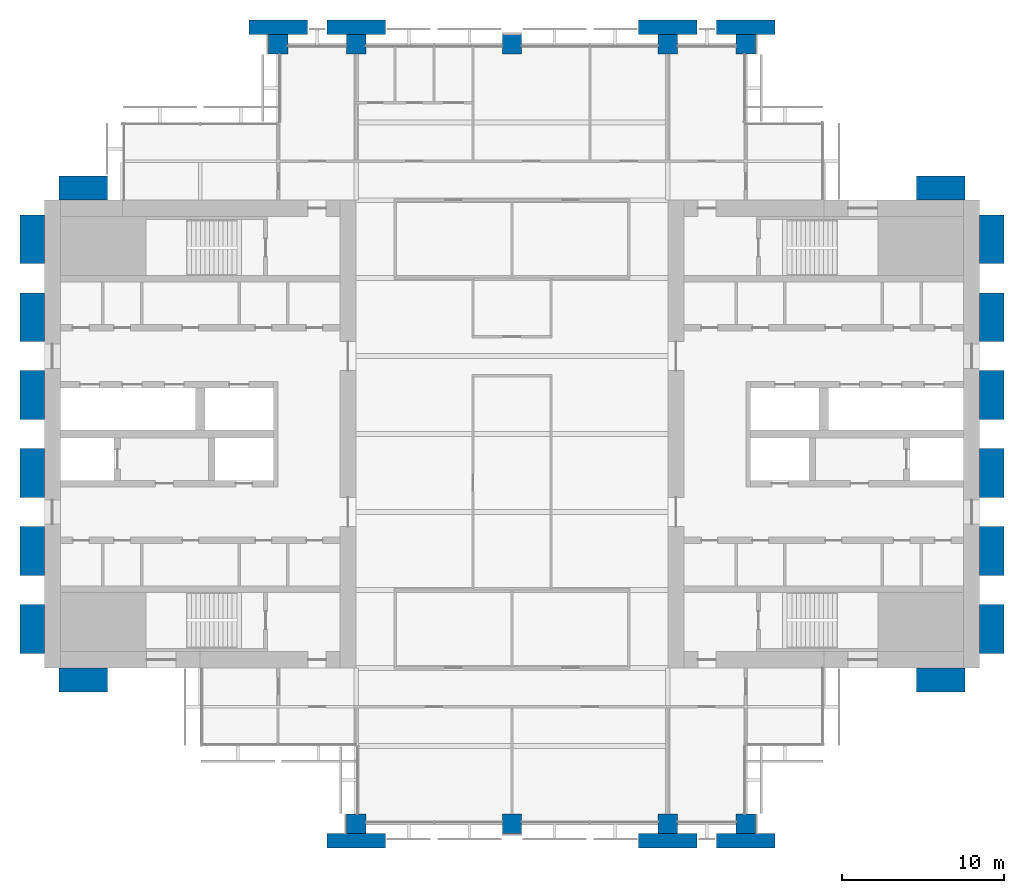
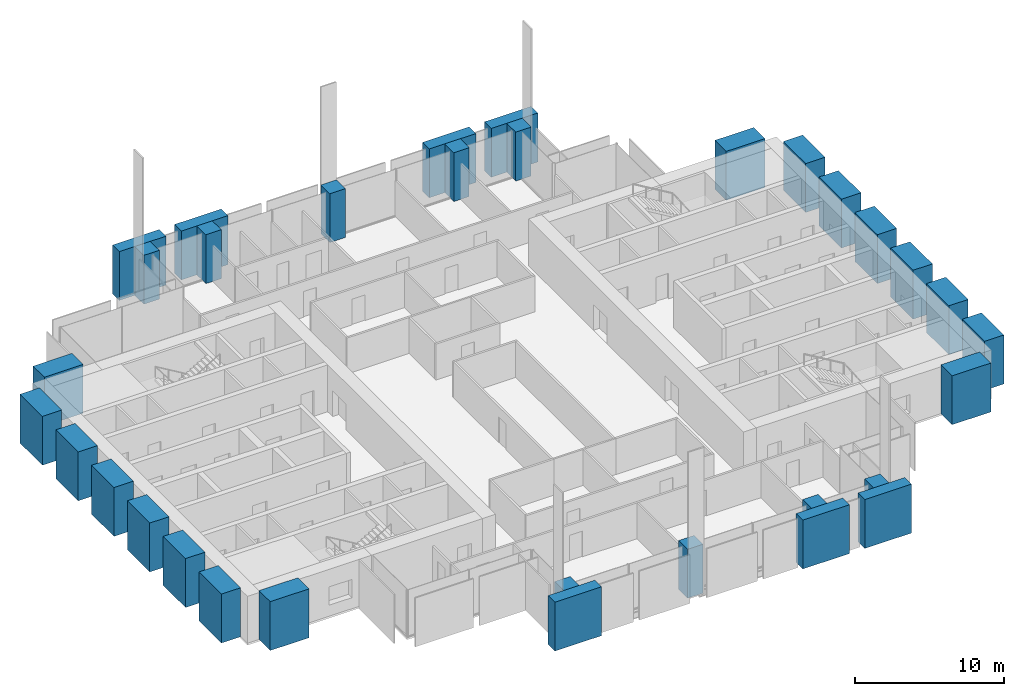
# One storey, part 1 of 14: 32 columns.
"""IFC4 building model written with IfcOpenShell, lengths in metres."""

from ifc_helpers import new_model, si_unit, direction, frame, origin, origin_2d, place, context, subcontext, project, spatial, rectangle, extrude, material, material_profile, profile_set, type_object, element, save


model = new_model("IFC4")

# Units and contexts
model_context = context("Model", 3, precision=1e-05, world=origin(), true_north=direction((0.0, 1.0)))
body_context = subcontext(model_context, "Body", "Model", "MODEL_VIEW")
ifc_project = project(units=[si_unit("LENGTHUNIT", "METRE"), si_unit("AREAUNIT", "SQUARE_METRE"), si_unit("VOLUMEUNIT", "CUBIC_METRE"), si_unit("PLANEANGLEUNIT", "RADIAN"), si_unit("MASSUNIT", "GRAM", prefix="KILO")], contexts=[model_context])

# Site, building, storey
site_placement = place(None, origin())
site = spatial("IfcSite", under=ifc_project, at=site_placement, CompositionType="ELEMENT")
building_placement = place(site_placement, origin())
building = spatial("IfcBuilding", under=site, at=building_placement, Name="Baori Bourse Tower", CompositionType="ELEMENT")
storey_placement = place(building_placement, frame((0.0, 0.0, 156.10009765625)))
storey = spatial("IfcBuildingStorey", under=building, at=storey_placement, Name="L34", CompositionType="ELEMENT", Elevation=156.10009765625)

# Columns
ifc_material_1 = material(Name="Concrete f'c 60 MPa", Category="concrete")
ifc_material_profile_1 = material_profile(ifc_material_1, rectangle(XDim=3.60009765625, YDim=0.89990234375, at=origin_2d()), Name="RC 3600x900")
ifc_profile_set_1 = profile_set([ifc_material_profile_1], Name="Concrete f'c 60 MPa")
column_type_1 = type_object("IfcColumnType", Name="FN3 Brick pilaster 3600x900", PredefinedType="PILASTER", material=ifc_profile_set_1)
for number, where, z_axis, x_axis, name in (
    (1, (19.199951171875, -1.050048828125, 0.0), (0.0, 0.0, 1.0), (1.0, 0.0, 0.0), "Brick pilaster L34 17"),
    (2, (38.39990234375, -1.050048828125, 0.0), (0.0, 0.0, 1.0), (1.0, 0.0, 0.0), "Brick pilaster L34 18"),
    (3, (43.199951171875, -1.050048828125, 0.0), (0.0, 0.0, 1.0), (1.0, 0.0, 0.0), "Brick pilaster L34 19"),
    (4, (14.39990234375, 49.050048828125, 0.0), (0.0, 0.0, 1.0), (1.0, 0.0, 0.0), "Brick pilaster L34 20"),
    (5, (19.199951171875, 49.050048828125, 0.0), (0.0, 0.0, 1.0), (1.0, 0.0, 0.0), "Brick pilaster L34 21"),
    (6, (38.39990234375, 49.050048828125, 0.0), (0.0, 0.0, 1.0), (1.0, 0.0, 0.0), "Brick pilaster L34 22"),
    (7, (43.199951171875, 49.050048828125, 0.0), (0.0, 0.0, 1.0), (1.0, 0.0, 0.0), "Brick pilaster L34 23"),
):
    element("IfcColumn", number, at=place(storey_placement, frame(where, z_axis=z_axis, x_axis=x_axis)), inside=storey, type_object=column_type_1, Name=name, PredefinedType="PILASTER", context=body_context, shape_type="SweptSolid", body=[
        extrude(rectangle(XDim=3.60009765625, YDim=0.89990234375, at=origin_2d()), origin(), (0.0, 0.0, 1.0), 4.0),
    ])
ifc_material_2 = material(Name="Concrete f'c 60 MPa", Category="concrete")
ifc_material_profile_2 = material_profile(ifc_material_2, rectangle(XDim=3.0, YDim=1.5, at=origin_2d()), Name="RC 3000x1500")
ifc_profile_set_2 = profile_set([ifc_material_profile_2], Name="Concrete f'c 60 MPa")
column_type_2 = type_object("IfcColumnType", Name="FN4 Brick flank pilaster 3000x1500", PredefinedType="PILASTER", material=ifc_profile_set_2)
for number, where, z_axis, x_axis, name in (
    (8, (55.199951171875, 8.85009765625, 0.0), (0.0, 0.0, 1.0), (1.0, 0.0, 0.0), "Brick pilaster L34 1"),
    (9, (58.35009765625, 12.0, 0.0), (0.0, 0.0, 1.0), (0.0, 1.0, 0.0), "Brick pilaster L34 2"),
    (10, (58.35009765625, 16.800048828125, 0.0), (0.0, 0.0, 1.0), (0.0, 1.0, 0.0), "Brick pilaster L34 3"),
    (11, (58.35009765625, 21.60009765625, 0.0), (0.0, 0.0, 1.0), (0.0, 1.0, 0.0), "Brick pilaster L34 4"),
    (12, (58.35009765625, 26.39990234375, 0.0), (0.0, 0.0, 1.0), (0.0, 1.0, 0.0), "Brick pilaster L34 5"),
    (13, (58.35009765625, 31.199951171875, 0.0), (0.0, 0.0, 1.0), (0.0, 1.0, 0.0), "Brick pilaster L34 6"),
    (14, (58.35009765625, 36.0, 0.0), (0.0, 0.0, 1.0), (0.0, 1.0, 0.0), "Brick pilaster L34 7"),
    (15, (55.199951171875, 39.14990234375, 0.0), (0.0, 0.0, 1.0), (1.0, 0.0, 0.0), "Brick pilaster L34 8"),
    (16, (2.39990234375, 39.14990234375, 0.0), (0.0, 0.0, 1.0), (1.0, 0.0, 0.0), "Brick pilaster L34 9"),
    (17, (-0.75, 12.0, 0.0), (0.0, 0.0, 1.0), (0.0, 1.0, 0.0), "Brick pilaster L34 10"),
    (18, (-0.75, 16.800048828125, 0.0), (0.0, 0.0, 1.0), (0.0, 1.0, 0.0), "Brick pilaster L34 11"),
    (19, (-0.75, 21.60009765625, 0.0), (0.0, 0.0, 1.0), (0.0, 1.0, 0.0), "Brick pilaster L34 12"),
    (20, (-0.75, 26.39990234375, 0.0), (0.0, 0.0, 1.0), (0.0, 1.0, 0.0), "Brick pilaster L34 13"),
    (21, (-0.75, 31.199951171875, 0.0), (0.0, 0.0, 1.0), (0.0, 1.0, 0.0), "Brick pilaster L34 14"),
    (22, (-0.75, 36.0, 0.0), (0.0, 0.0, 1.0), (0.0, 1.0, 0.0), "Brick pilaster L34 15"),
    (23, (2.39990234375, 8.85009765625, 0.0), (0.0, 0.0, 1.0), (1.0, 0.0, 0.0), "Brick pilaster L34 16"),
):
    element("IfcColumn", number, at=place(storey_placement, frame(where, z_axis=z_axis, x_axis=x_axis)), inside=storey, type_object=column_type_2, Name=name, PredefinedType="PILASTER", context=body_context, shape_type="SweptSolid", body=[
        extrude(rectangle(XDim=3.0, YDim=1.5, at=origin_2d()), origin(), (0.0, 0.0, 1.0), 4.0),
    ])
ifc_material_3 = material(Name="Concrete f'c 60 MPa", Category="concrete")
ifc_material_profile_3 = material_profile(ifc_material_3, rectangle(XDim=1.199951171875, YDim=1.199951171875, at=origin_2d()), Name="RC 1200x1200")
ifc_profile_set_3 = profile_set([ifc_material_profile_3], Name="Concrete f'c 60 MPa")
column_type_3 = type_object("IfcColumnType", Name="Perimeter column 60 RC 1200x1200", PredefinedType="COLUMN", material=ifc_profile_set_3)
for number, where, z_axis, x_axis, name in (
    (24, (19.199951171875, 0.0, 0.0), (0.0, 0.0, 1.0), (1.0, 0.0, 0.0), "Perimeter column L34"),
    (25, (28.800048828125, 0.0, 0.0), (0.0, 0.0, 1.0), (1.0, 0.0, 0.0), "Perimeter column L34"),
    (26, (38.39990234375, 0.0, 0.0), (0.0, 0.0, 1.0), (1.0, 0.0, 0.0), "Perimeter column L34"),
    (27, (43.199951171875, 0.0, 0.0), (0.0, 0.0, 1.0), (1.0, 0.0, 0.0), "Perimeter column L34"),
    (28, (14.39990234375, 48.0, 0.0), (0.0, 0.0, 1.0), (1.0, 0.0, 0.0), "Perimeter column L34"),
    (29, (19.199951171875, 48.0, 0.0), (0.0, 0.0, 1.0), (1.0, 0.0, 0.0), "Perimeter column L34"),
    (30, (28.800048828125, 48.0, 0.0), (0.0, 0.0, 1.0), (1.0, 0.0, 0.0), "Perimeter column L34"),
    (31, (38.39990234375, 48.0, 0.0), (0.0, 0.0, 1.0), (1.0, 0.0, 0.0), "Perimeter column L34"),
    (32, (43.199951171875, 48.0, 0.0), (0.0, 0.0, 1.0), (1.0, 0.0, 0.0), "Perimeter column L34"),
):
    element("IfcColumn", number, at=place(storey_placement, frame(where, z_axis=z_axis, x_axis=x_axis)), inside=storey, type_object=column_type_3, Name=name, PredefinedType="COLUMN", context=body_context, shape_type="SweptSolid", body=[
        extrude(rectangle(XDim=1.199951171875, YDim=1.199951171875, at=origin_2d()), origin(), (0.0, 0.0, 1.0), 4.0),
    ])

save(model, "model.ifc")
